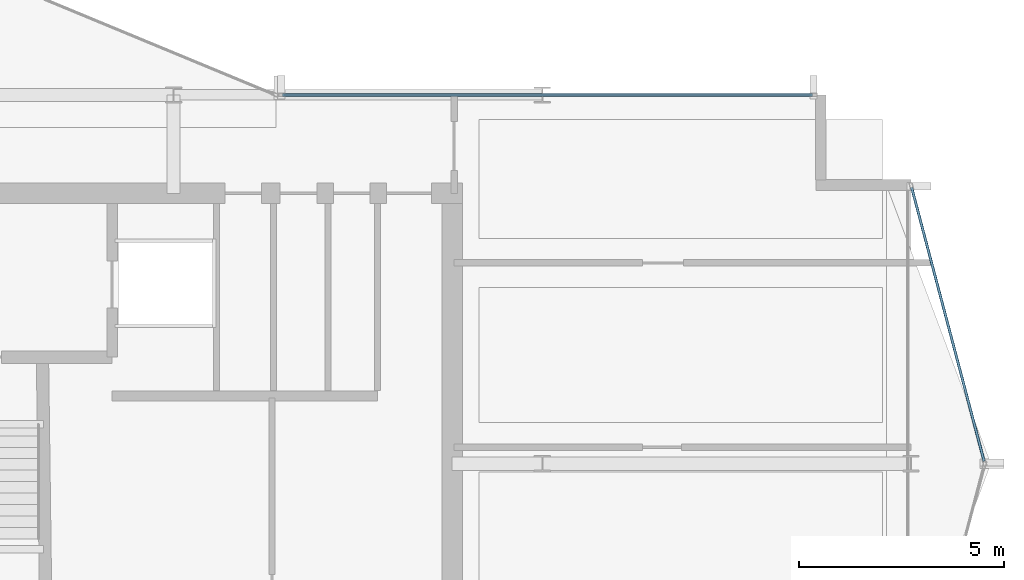
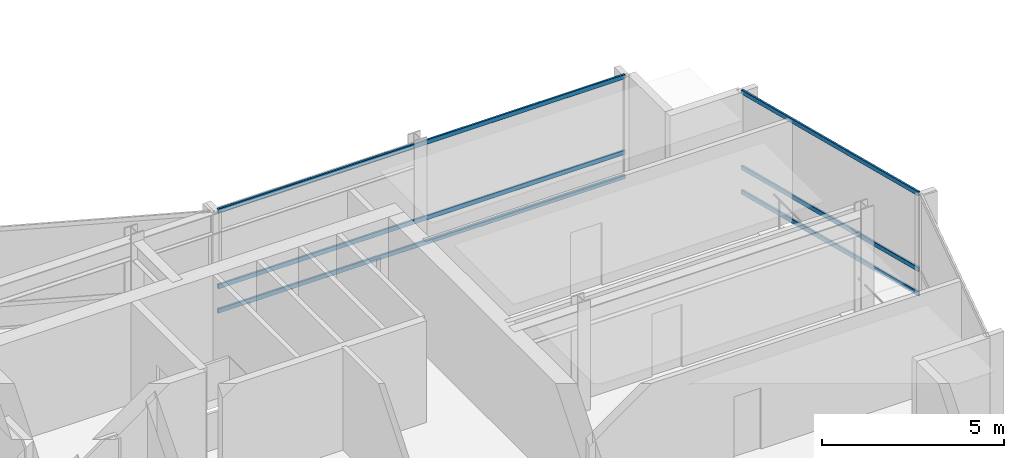
# One storey, part 13 of 28: 6 members, 2 elements without a shape of their own.
"""IFC4 building model written with IfcOpenShell, lengths in metres."""

from ifc_helpers import new_model, si_unit, direction, frame, origin, origin_2d, place, context, subcontext, project, spatial, hollow_rectangle, extrude, material, layer, layer_set, material_profile, profile_set, type_object, element, aggregate, save


model = new_model("IFC4")

# Units and contexts
model_context = context("Model", 3, precision=1e-05, world=origin(), true_north=direction((0.0, 1.0)))
body_context = subcontext(model_context, "Body", "Model", "MODEL_VIEW")
ifc_project = project(units=[si_unit("LENGTHUNIT", "METRE"), si_unit("AREAUNIT", "SQUARE_METRE"), si_unit("VOLUMEUNIT", "CUBIC_METRE"), si_unit("PLANEANGLEUNIT", "RADIAN"), si_unit("MASSUNIT", "GRAM", prefix="KILO")], contexts=[model_context])

# Site, building, storey
site_placement = place(None, origin())
site = spatial("IfcSite", under=ifc_project, at=site_placement, CompositionType="ELEMENT")
building_placement = place(site_placement, origin())
building = spatial("IfcBuilding", under=site, at=building_placement, Name="Solvaryn Broadcast Tower", CompositionType="ELEMENT")
storey_placement = place(building_placement, frame((0.0, 0.0, 213.60009765625)))
storey = spatial("IfcBuildingStorey", under=building, at=storey_placement, Name="L53", CompositionType="ELEMENT", Elevation=213.60009765625)

# Curtain wall, members
ifc_material_1 = material(Name="Aluminium and Terracotta Unitised Curtain Wall", Category="masonry")
ifc_layer = layer(ifc_material_1, 0.199951171875)
ifc_layer_set = layer_set([ifc_layer], Name="CW-SYS2-LOWMID")
curtain_wall_type = type_object("IfcCurtainWallType", Name="CW-SYS2-LOWMID", PredefinedType="NOTDEFINED", material=ifc_layer_set)
curtain_wall_1_placement = place(storey_placement, origin())
curtain_wall_1 = element("IfcCurtainWall", 1, at=curtain_wall_1_placement, inside=storey, type_object=curtain_wall_type, Name="L53 Curtain Wall ET1", PredefinedType="NOTDEFINED")
ifc_material_2 = material(Name="Anodised Aluminium 6063-T6", Category="aluminium")
ifc_material_profile = material_profile(ifc_material_2, hollow_rectangle(XDim=0.06494140625, YDim=0.14990234375, WallThickness=0.00390625, InnerFilletRadius=0.00390625, OuterFilletRadius=0.008056640625, at=origin_2d()))
ifc_profile_set = profile_set([ifc_material_profile], Name="Anodised Aluminium 6063-T6")
member_type = type_object("IfcMemberType", Name="CW-TRN-150", PredefinedType="USERDEFINED", material=ifc_profile_set)
member_1_placement = place(storey_placement, frame((54.015380859375, 24.741943359375, 0.02978515625), z_axis=(0.255897413051, -0.966703943301, 0.0), x_axis=(0.966703943301, 0.255897413051, 0.0)))
member_1 = element("IfcMember", 2, at=member_1_placement, type_object=member_type, Name="CWS2 transom 1.1", ObjectType="TRANSOM", PredefinedType="USERDEFINED", context=body_context, shape_type="SweptSolid", body=[
    extrude(hollow_rectangle(XDim=0.06494140625, YDim=0.14990234375, WallThickness=0.00390625, InnerFilletRadius=0.00390625, OuterFilletRadius=0.008056640625, at=origin_2d()), origin(), (0.0, 0.0, 1.0), 6.9140625),
])
member_2_placement = place(storey_placement, frame((54.015380859375, 24.741943359375, 0.849853515625), z_axis=(0.255897413051, -0.966703943301, 0.0), x_axis=(0.966703943301, 0.255897413051, 0.0)))
member_2 = element("IfcMember", 3, at=member_2_placement, type_object=member_type, Name="CWS2 transom 1.2", ObjectType="TRANSOM", PredefinedType="USERDEFINED", context=body_context, shape_type="SweptSolid", body=[
    extrude(hollow_rectangle(XDim=0.06494140625, YDim=0.14990234375, WallThickness=0.00390625, InnerFilletRadius=0.00390625, OuterFilletRadius=0.008056640625, at=origin_2d()), origin(), (0.0, 0.0, 1.0), 6.9140625),
])
member_3_placement = place(storey_placement, frame((54.015380859375, 24.741943359375, 3.389892578125), z_axis=(0.255897413051, -0.966703943301, 0.0), x_axis=(0.966703943301, 0.255897413051, 0.0)))
member_3 = element("IfcMember", 4, at=member_3_placement, type_object=member_type, Name="CWS2 transom 1.3", ObjectType="TRANSOM", PredefinedType="USERDEFINED", context=body_context, shape_type="SweptSolid", body=[
    extrude(hollow_rectangle(XDim=0.06494140625, YDim=0.14990234375, WallThickness=0.00390625, InnerFilletRadius=0.00390625, OuterFilletRadius=0.008056640625, at=origin_2d()), origin(), (0.0, 0.0, 1.0), 6.9140625),
])
aggregate(curtain_wall_1, [member_1, member_2, member_3])

curtain_wall_2_placement = place(storey_placement, origin())
curtain_wall_2 = element("IfcCurtainWall", 5, at=curtain_wall_2_placement, inside=storey, type_object=curtain_wall_type, Name="L53 Curtain Wall IH", PredefinedType="NOTDEFINED")
member_4_placement = place(storey_placement, frame((38.659912109375, 27.0, 0.02978515625), z_axis=(1.0, 0.0, 0.0), x_axis=(0.0, 1.0, 0.0)))
member_4 = element("IfcMember", 6, at=member_4_placement, type_object=member_type, Name="CWS2 transom 1.1", ObjectType="TRANSOM", PredefinedType="USERDEFINED", context=body_context, shape_type="SweptSolid", body=[
    extrude(hollow_rectangle(XDim=0.06494140625, YDim=0.14990234375, WallThickness=0.00390625, InnerFilletRadius=0.00390625, OuterFilletRadius=0.008056640625, at=origin_2d()), origin(), (0.0, 0.0, 1.0), 12.93017578125),
])
member_5_placement = place(storey_placement, frame((38.659912109375, 27.0, 0.849853515625), z_axis=(1.0, 0.0, 0.0), x_axis=(0.0, 1.0, 0.0)))
member_5 = element("IfcMember", 7, at=member_5_placement, type_object=member_type, Name="CWS2 transom 1.2", ObjectType="TRANSOM", PredefinedType="USERDEFINED", context=body_context, shape_type="SweptSolid", body=[
    extrude(hollow_rectangle(XDim=0.06494140625, YDim=0.14990234375, WallThickness=0.00390625, InnerFilletRadius=0.00390625, OuterFilletRadius=0.008056640625, at=origin_2d()), origin(), (0.0, 0.0, 1.0), 12.93017578125),
])
member_6_placement = place(storey_placement, frame((38.659912109375, 27.0, 3.389892578125), z_axis=(1.0, 0.0, 0.0), x_axis=(0.0, 1.0, 0.0)))
member_6 = element("IfcMember", 8, at=member_6_placement, type_object=member_type, Name="CWS2 transom 1.3", ObjectType="TRANSOM", PredefinedType="USERDEFINED", context=body_context, shape_type="SweptSolid", body=[
    extrude(hollow_rectangle(XDim=0.06494140625, YDim=0.14990234375, WallThickness=0.00390625, InnerFilletRadius=0.00390625, OuterFilletRadius=0.008056640625, at=origin_2d()), origin(), (0.0, 0.0, 1.0), 12.93017578125),
])
aggregate(curtain_wall_2, [member_4, member_5, member_6])

save(model, "model.ifc")
